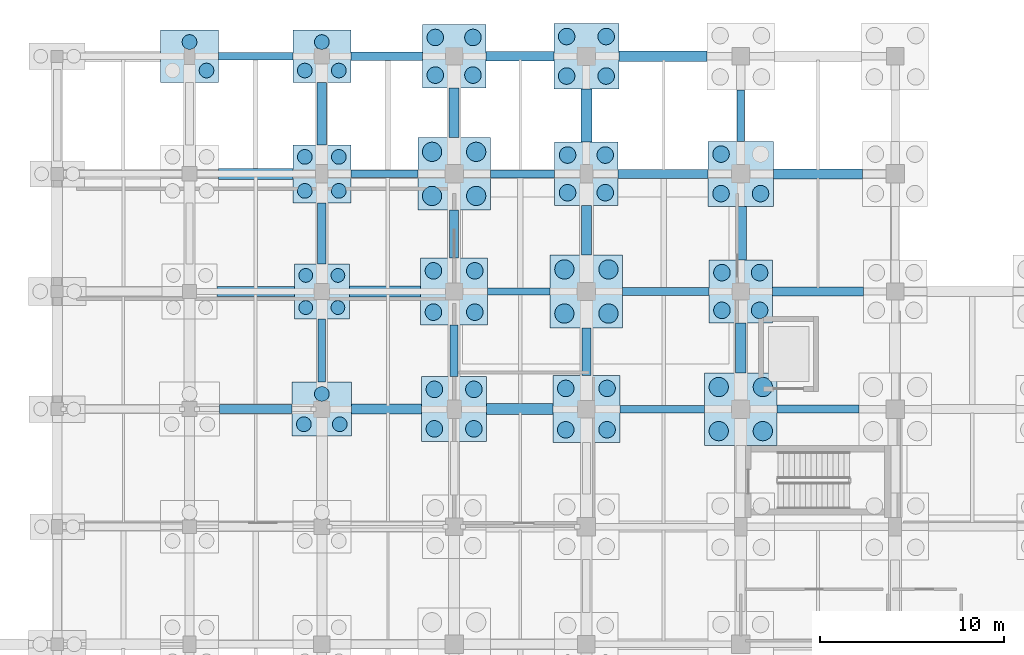
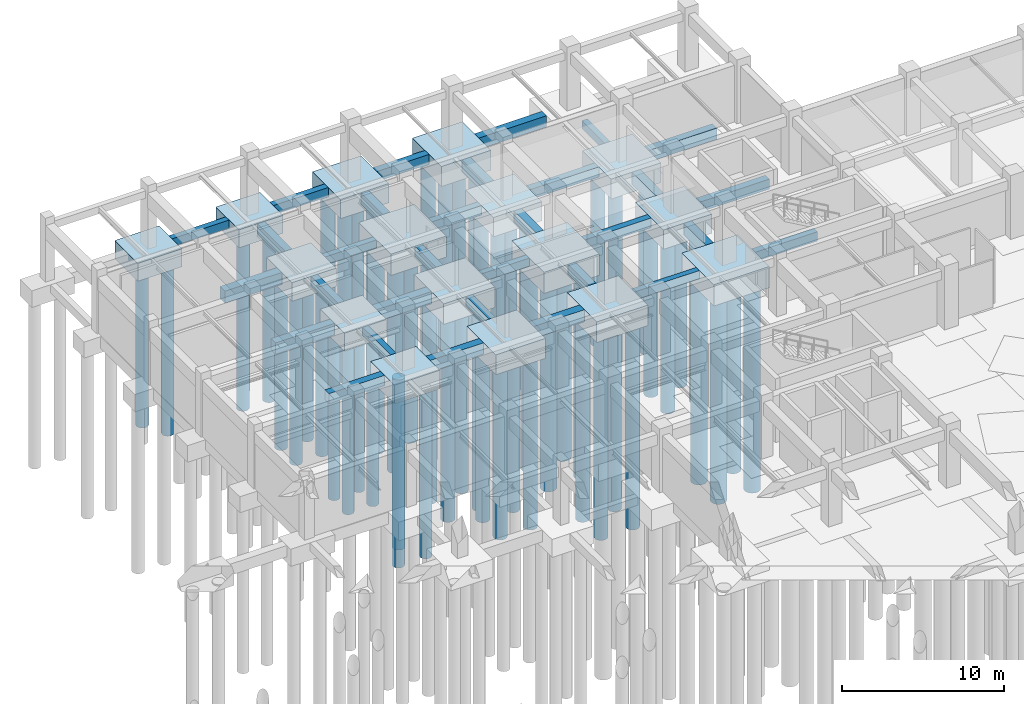
# One storey, part 8 of 44: 59 piles, 47 footings.
"""IFC4 building model written with IfcOpenShell, lengths in metres."""

from ifc_helpers import new_model, si_unit, direction, frame, origin, origin_2d, place, context, subcontext, project, spatial, rectangle, circle, extrude, material, material_profile, profile_set, type_object, element, save


model = new_model("IFC4")

# Units and contexts
model_context = context("Model", 3, precision=1e-05, world=origin(), true_north=direction((0.0, 1.0)))
body_context = subcontext(model_context, "Body", "Model", "MODEL_VIEW")
ifc_project = project(units=[si_unit("LENGTHUNIT", "METRE"), si_unit("AREAUNIT", "SQUARE_METRE"), si_unit("VOLUMEUNIT", "CUBIC_METRE"), si_unit("PLANEANGLEUNIT", "RADIAN"), si_unit("MASSUNIT", "GRAM", prefix="KILO")], contexts=[model_context])

# Site, building, storey
site_placement = place(None, origin())
site = spatial("IfcSite", under=ifc_project, at=site_placement, CompositionType="ELEMENT")
building_placement = place(site_placement, origin())
building = spatial("IfcBuilding", under=site, at=building_placement, Name="Korsvaeld Concert Hall", CompositionType="ELEMENT")
storey_placement = place(building_placement, frame((0.0, 0.0, -4.800048828125)))
storey = spatial("IfcBuildingStorey", under=building, at=storey_placement, Name="B1", CompositionType="ELEMENT", Elevation=-4.800048828125)

# Footings
ifc_material_1 = material(Name="Concrete C35/45", Category="concrete")
ifc_material_profile_1 = material_profile(ifc_material_1, rectangle(XDim=0.39990234375, YDim=0.60009765625, at=origin_2d()), Name="GTB 400x600")
ifc_profile_set_1 = profile_set([ifc_material_profile_1], Name="Concrete C35/45")
footing_type_1 = type_object("IfcFootingType", Name="GTB-400x600", PredefinedType="FOOTING_BEAM", material=ifc_profile_set_1)
footing_1_placement = place(storey_placement, frame((52.22509765625, 96.0, -0.300048828125), z_axis=(1.0, 0.0, 0.0), x_axis=(0.0, 1.0, 0.0)))
element("IfcFooting", 1, at=footing_1_placement, inside=storey, type_object=footing_type_1, Name="Ground tie beam 8-9/P", PredefinedType="FOOTING_BEAM", context=body_context, shape_type="SweptSolid", body=[
    extrude(rectangle(XDim=0.39990234375, YDim=0.60009765625, at=origin_2d()), origin(), (0.0, 0.0, 1.0), 4.599853515625),
])
footing_2_placement = place(storey_placement, frame((45.02490234375, 102.39990234375, -0.300048828125), z_axis=(1.0, 0.0, 0.0), x_axis=(0.0, 1.0, 0.0)))
element("IfcFooting", 2, at=footing_2_placement, inside=storey, type_object=footing_type_1, Name="Ground tie beam 7-8/Q", PredefinedType="FOOTING_BEAM", context=body_context, shape_type="SweptSolid", body=[
    extrude(rectangle(XDim=0.39990234375, YDim=0.60009765625, at=origin_2d()), origin(), (0.0, 0.0, 1.0), 3.400146484375),
])
footing_3_placement = place(storey_placement, frame((37.574951171875, 108.800048828125, -0.300048828125), z_axis=(1.0, 0.0, 0.0), x_axis=(0.0, 1.0, 0.0)))
element("IfcFooting", 3, at=footing_3_placement, inside=storey, type_object=footing_type_1, Name="Ground tie beam 6-7/R", PredefinedType="FOOTING_BEAM", context=body_context, shape_type="SweptSolid", body=[
    extrude(rectangle(XDim=0.39990234375, YDim=0.60009765625, at=origin_2d()), origin(), (0.0, 0.0, 1.0), 3.650146484375),
])
footing_4_placement = place(storey_placement, frame((30.375, 115.199951171875, -0.300048828125), z_axis=(1.0, 0.0, 0.0), x_axis=(0.0, 1.0, 0.0)))
element("IfcFooting", 4, at=footing_4_placement, inside=storey, type_object=footing_type_1, Name="Ground tie beam 5-6/S", PredefinedType="FOOTING_BEAM", context=body_context, shape_type="SweptSolid", body=[
    extrude(rectangle(XDim=0.39990234375, YDim=0.60009765625, at=origin_2d()), origin(), (0.0, 0.0, 1.0), 4.050048828125),
])
footing_5_placement = place(storey_placement, frame((36.0, 97.47509765625, -0.300048828125), z_axis=(0.0, 1.0, 0.0), x_axis=(-1.0, 0.0, 0.0)))
element("IfcFooting", 5, at=footing_5_placement, inside=storey, type_object=footing_type_1, Name="Ground tie beam 6/P-Q", PredefinedType="FOOTING_BEAM", context=body_context, shape_type="SweptSolid", body=[
    extrude(rectangle(XDim=0.39990234375, YDim=0.60009765625, at=origin_2d()), origin(), (0.0, 0.0, 1.0), 3.4248046875),
])
footing_6_placement = place(storey_placement, frame((58.800048828125, 110.574951171875, -0.300048828125), z_axis=(0.0, 1.0, 0.0), x_axis=(-1.0, 0.0, 0.0)))
element("IfcFooting", 6, at=footing_6_placement, inside=storey, type_object=footing_type_1, Name="Ground tie beam 9/R-S", PredefinedType="FOOTING_BEAM", context=body_context, shape_type="SweptSolid", body=[
    extrude(rectangle(XDim=0.39990234375, YDim=0.60009765625, at=origin_2d()), origin(), (0.0, 0.0, 1.0), 2.800048828125),
])
ifc_material_profile_2 = material_profile(ifc_material_1, rectangle(XDim=0.449951171875, YDim=0.699951171875, at=origin_2d()), Name="GTB 450x700")
ifc_profile_set_2 = profile_set([ifc_material_profile_2], Name="Concrete C35/45")
footing_type_2 = type_object("IfcFootingType", Name="GTB-450x700", PredefinedType="FOOTING_BEAM", material=ifc_profile_set_2)
footing_7_placement = place(storey_placement, frame((60.77490234375, 96.0, -0.349853515625), z_axis=(1.0, 0.0, 0.0), x_axis=(0.0, 1.0, 0.0)))
element("IfcFooting", 7, at=footing_7_placement, inside=storey, type_object=footing_type_2, Name="Ground tie beam 9-10/P", PredefinedType="FOOTING_BEAM", context=body_context, shape_type="SweptSolid", body=[
    extrude(rectangle(XDim=0.449951171875, YDim=0.699951171875, at=origin_2d()), origin(), (0.0, 0.0, 1.0), 4.4501953125),
])
footing_8_placement = place(storey_placement, frame((52.375, 102.39990234375, -0.349853515625), z_axis=(1.0, 0.0, 0.0), x_axis=(0.0, 1.0, 0.0)))
element("IfcFooting", 8, at=footing_8_placement, inside=storey, type_object=footing_type_2, Name="Ground tie beam 8-9/Q", PredefinedType="FOOTING_BEAM", context=body_context, shape_type="SweptSolid", body=[
    extrude(rectangle(XDim=0.449951171875, YDim=0.699951171875, at=origin_2d()), origin(), (0.0, 0.0, 1.0), 4.699951171875),
])
footing_9_placement = place(storey_placement, frame((45.175048828125, 108.800048828125, -0.349853515625), z_axis=(1.0, 0.0, 0.0), x_axis=(0.0, 1.0, 0.0)))
element("IfcFooting", 9, at=footing_9_placement, inside=storey, type_object=footing_type_2, Name="Ground tie beam 7-8/R", PredefinedType="FOOTING_BEAM", context=body_context, shape_type="SweptSolid", body=[
    extrude(rectangle(XDim=0.449951171875, YDim=0.699951171875, at=origin_2d()), origin(), (0.0, 0.0, 1.0), 3.5),
])
footing_10_placement = place(storey_placement, frame((37.574951171875, 115.199951171875, -0.349853515625), z_axis=(1.0, 0.0, 0.0), x_axis=(0.0, 1.0, 0.0)))
element("IfcFooting", 10, at=footing_10_placement, inside=storey, type_object=footing_type_2, Name="Ground tie beam 6-7/S", PredefinedType="FOOTING_BEAM", context=body_context, shape_type="SweptSolid", body=[
    extrude(rectangle(XDim=0.449951171875, YDim=0.699951171875, at=origin_2d()), origin(), (0.0, 0.0, 1.0), 3.900146484375),
])
footing_11_placement = place(storey_placement, frame((36.0, 103.89990234375, -0.349853515625), z_axis=(0.0, 1.0, 0.0), x_axis=(-1.0, 0.0, 0.0)))
element("IfcFooting", 11, at=footing_11_placement, inside=storey, type_object=footing_type_2, Name="Ground tie beam 6/Q-R", PredefinedType="FOOTING_BEAM", context=body_context, shape_type="SweptSolid", body=[
    extrude(rectangle(XDim=0.449951171875, YDim=0.699951171875, at=origin_2d()), origin(), (0.0, 0.0, 1.0), 3.3251953125),
])
footing_12_placement = place(storey_placement, frame((43.199951171875, 97.77490234375, -0.349853515625), z_axis=(0.0, 1.0, 0.0), x_axis=(-1.0, 0.0, 0.0)))
element("IfcFooting", 12, at=footing_12_placement, inside=storey, type_object=footing_type_2, Name="Ground tie beam 7/P-Q", PredefinedType="FOOTING_BEAM", context=body_context, shape_type="SweptSolid", body=[
    extrude(rectangle(XDim=0.449951171875, YDim=0.699951171875, at=origin_2d()), origin(), (0.0, 0.0, 1.0), 2.800048828125),
])
ifc_material_profile_3 = material_profile(ifc_material_1, rectangle(XDim=0.5, YDim=0.75, at=origin_2d()), Name="GTB 500x750")
ifc_profile_set_3 = profile_set([ifc_material_profile_3], Name="Concrete C35/45")
footing_type_3 = type_object("IfcFootingType", Name="GTB-500x750", PredefinedType="FOOTING_BEAM", material=ifc_profile_set_3)
footing_13_placement = place(storey_placement, frame((30.425048828125, 96.0, -0.375), z_axis=(1.0, 0.0, 0.0), x_axis=(0.0, 1.0, 0.0)))
element("IfcFooting", 13, at=footing_13_placement, inside=storey, type_object=footing_type_3, Name="Ground tie beam 5-6/P", PredefinedType="FOOTING_BEAM", context=body_context, shape_type="SweptSolid", body=[
    extrude(rectangle(XDim=0.5, YDim=0.75, at=origin_2d()), origin(), (0.0, 0.0, 1.0), 3.949951171875),
])
footing_14_placement = place(storey_placement, frame((60.52490234375, 102.39990234375, -0.375), z_axis=(1.0, 0.0, 0.0), x_axis=(0.0, 1.0, 0.0)))
element("IfcFooting", 14, at=footing_14_placement, inside=storey, type_object=footing_type_3, Name="Ground tie beam 9-10/Q", PredefinedType="FOOTING_BEAM", context=body_context, shape_type="SweptSolid", body=[
    extrude(rectangle(XDim=0.5, YDim=0.75, at=origin_2d()), origin(), (0.0, 0.0, 1.0), 4.9501953125),
])
footing_15_placement = place(storey_placement, frame((52.125, 108.800048828125, -0.375), z_axis=(1.0, 0.0, 0.0), x_axis=(0.0, 1.0, 0.0)))
element("IfcFooting", 15, at=footing_15_placement, inside=storey, type_object=footing_type_3, Name="Ground tie beam 8-9/R", PredefinedType="FOOTING_BEAM", context=body_context, shape_type="SweptSolid", body=[
    extrude(rectangle(XDim=0.5, YDim=0.75, at=origin_2d()), origin(), (0.0, 0.0, 1.0), 4.89990234375),
])
footing_16_placement = place(storey_placement, frame((44.925048828125, 115.199951171875, -0.375), z_axis=(1.0, 0.0, 0.0), x_axis=(0.0, 1.0, 0.0)))
element("IfcFooting", 16, at=footing_16_placement, inside=storey, type_object=footing_type_3, Name="Ground tie beam 7-8/S", PredefinedType="FOOTING_BEAM", context=body_context, shape_type="SweptSolid", body=[
    extrude(rectangle(XDim=0.5, YDim=0.75, at=origin_2d()), origin(), (0.0, 0.0, 1.0), 3.699951171875),
])
footing_17_placement = place(storey_placement, frame((36.0, 110.375, -0.375), z_axis=(0.0, 1.0, 0.0), x_axis=(-1.0, 0.0, 0.0)))
element("IfcFooting", 17, at=footing_17_placement, inside=storey, type_object=footing_type_3, Name="Ground tie beam 6/R-S", PredefinedType="FOOTING_BEAM", context=body_context, shape_type="SweptSolid", body=[
    extrude(rectangle(XDim=0.5, YDim=0.75, at=origin_2d()), origin(), (0.0, 0.0, 1.0), 3.39990234375),
])
footing_18_placement = place(storey_placement, frame((43.199951171875, 104.22509765625, -0.375), z_axis=(0.0, 1.0, 0.0), x_axis=(-1.0, 0.0, 0.0)))
element("IfcFooting", 18, at=footing_18_placement, inside=storey, type_object=footing_type_3, Name="Ground tie beam 7/Q-R", PredefinedType="FOOTING_BEAM", context=body_context, shape_type="SweptSolid", body=[
    extrude(rectangle(XDim=0.5, YDim=0.75, at=origin_2d()), origin(), (0.0, 0.0, 1.0), 2.599853515625),
])
footing_19_placement = place(storey_placement, frame((50.39990234375, 97.824951171875, -0.375), z_axis=(0.0, 1.0, 0.0), x_axis=(-1.0, 0.0, 0.0)))
element("IfcFooting", 19, at=footing_19_placement, inside=storey, type_object=footing_type_3, Name="Ground tie beam 8/P-Q", PredefinedType="FOOTING_BEAM", context=body_context, shape_type="SweptSolid", body=[
    extrude(rectangle(XDim=0.5, YDim=0.75, at=origin_2d()), origin(), (0.0, 0.0, 1.0), 2.60009765625),
])
ifc_material_profile_4 = material_profile(ifc_material_1, rectangle(XDim=0.550048828125, YDim=0.85009765625, at=origin_2d()), Name="GTB 550x850")
ifc_profile_set_4 = profile_set([ifc_material_profile_4], Name="Concrete C35/45")
footing_type_4 = type_object("IfcFootingType", Name="GTB-550x850", PredefinedType="FOOTING_BEAM", material=ifc_profile_set_4)
footing_20_placement = place(storey_placement, frame((37.625, 96.0, -0.425048828125), z_axis=(1.0, 0.0, 0.0), x_axis=(0.0, 1.0, 0.0)))
element("IfcFooting", 20, at=footing_20_placement, inside=storey, type_object=footing_type_4, Name="Ground tie beam 6-7/P", PredefinedType="FOOTING_BEAM", context=body_context, shape_type="SweptSolid", body=[
    extrude(rectangle(XDim=0.550048828125, YDim=0.85009765625, at=origin_2d()), origin(), (0.0, 0.0, 1.0), 3.800048828125),
])
footing_21_placement = place(storey_placement, frame((30.300048828125, 102.39990234375, -0.425048828125), z_axis=(1.0, 0.0, 0.0), x_axis=(0.0, 1.0, 0.0)))
element("IfcFooting", 21, at=footing_21_placement, inside=storey, type_object=footing_type_4, Name="Ground tie beam 5-6/Q", PredefinedType="FOOTING_BEAM", context=body_context, shape_type="SweptSolid", body=[
    extrude(rectangle(XDim=0.550048828125, YDim=0.85009765625, at=origin_2d()), origin(), (0.0, 0.0, 1.0), 4.199951171875),
])
footing_22_placement = place(storey_placement, frame((60.574951171875, 108.800048828125, -0.425048828125), z_axis=(1.0, 0.0, 0.0), x_axis=(0.0, 1.0, 0.0)))
element("IfcFooting", 22, at=footing_22_placement, inside=storey, type_object=footing_type_4, Name="Ground tie beam 9-10/R", PredefinedType="FOOTING_BEAM", context=body_context, shape_type="SweptSolid", body=[
    extrude(rectangle(XDim=0.550048828125, YDim=0.85009765625, at=origin_2d()), origin(), (0.0, 0.0, 1.0), 4.85009765625),
])
footing_23_placement = place(storey_placement, frame((52.175048828125, 115.199951171875, -0.425048828125), z_axis=(1.0, 0.0, 0.0), x_axis=(0.0, 1.0, 0.0)))
element("IfcFooting", 23, at=footing_23_placement, inside=storey, type_object=footing_type_4, Name="Ground tie beam 8-9/S", PredefinedType="FOOTING_BEAM", context=body_context, shape_type="SweptSolid", body=[
    extrude(rectangle(XDim=0.550048828125, YDim=0.85009765625, at=origin_2d()), origin(), (0.0, 0.0, 1.0), 4.800048828125),
])
footing_24_placement = place(storey_placement, frame((43.199951171875, 110.77490234375, -0.425048828125), z_axis=(0.0, 1.0, 0.0), x_axis=(-1.0, 0.0, 0.0)))
element("IfcFooting", 24, at=footing_24_placement, inside=storey, type_object=footing_type_4, Name="Ground tie beam 7/R-S", PredefinedType="FOOTING_BEAM", context=body_context, shape_type="SweptSolid", body=[
    extrude(rectangle(XDim=0.550048828125, YDim=0.85009765625, at=origin_2d()), origin(), (0.0, 0.0, 1.0), 2.7001953125),
])
for number, where, z_axis, x_axis, name in (
    (25, (50.39990234375, 104.375, -0.425048828125), (0.0, 1.0, 0.0), (-1.0, 0.0, 0.0), "Ground tie beam 8/Q-R"),
    (26, (58.800048828125, 97.97509765625, -0.425048828125), (0.0, 1.0, 0.0), (-1.0, 0.0, 0.0), "Ground tie beam 9/P-Q"),
):
    element("IfcFooting", number, at=place(storey_placement, frame(where, z_axis=z_axis, x_axis=x_axis)), inside=storey, type_object=footing_type_4, Name=name, PredefinedType="FOOTING_BEAM", context=body_context, shape_type="SweptSolid", body=[
        extrude(rectangle(XDim=0.550048828125, YDim=0.85009765625, at=origin_2d()), origin(), (0.0, 0.0, 1.0), 2.699951171875),
    ])
ifc_material_profile_5 = material_profile(ifc_material_1, rectangle(XDim=0.60009765625, YDim=0.89990234375, at=origin_2d()), Name="GTB 600x900")
ifc_profile_set_5 = profile_set([ifc_material_profile_5], Name="Concrete C35/45")
footing_type_5 = type_object("IfcFootingType", Name="GTB-600x900", PredefinedType="FOOTING_BEAM", material=ifc_profile_set_5)
footing_25_placement = place(storey_placement, frame((44.97509765625, 96.0, -0.449951171875), z_axis=(1.0, 0.0, 0.0), x_axis=(0.0, 1.0, 0.0)))
element("IfcFooting", 27, at=footing_25_placement, inside=storey, type_object=footing_type_5, Name="Ground tie beam 7-8/P", PredefinedType="FOOTING_BEAM", context=body_context, shape_type="SweptSolid", body=[
    extrude(rectangle(XDim=0.60009765625, YDim=0.89990234375, at=origin_2d()), origin(), (0.0, 0.0, 1.0), 3.599853515625),
])
footing_26_placement = place(storey_placement, frame((37.5, 102.39990234375, -0.449951171875), z_axis=(1.0, 0.0, 0.0), x_axis=(0.0, 1.0, 0.0)))
element("IfcFooting", 28, at=footing_26_placement, inside=storey, type_object=footing_type_5, Name="Ground tie beam 6-7/Q", PredefinedType="FOOTING_BEAM", context=body_context, shape_type="SweptSolid", body=[
    extrude(rectangle(XDim=0.60009765625, YDim=0.89990234375, at=origin_2d()), origin(), (0.0, 0.0, 1.0), 3.875),
])
footing_27_placement = place(storey_placement, frame((30.375, 108.800048828125, -0.449951171875), z_axis=(1.0, 0.0, 0.0), x_axis=(0.0, 1.0, 0.0)))
element("IfcFooting", 29, at=footing_27_placement, inside=storey, type_object=footing_type_5, Name="Ground tie beam 5-6/R", PredefinedType="FOOTING_BEAM", context=body_context, shape_type="SweptSolid", body=[
    extrude(rectangle(XDim=0.60009765625, YDim=0.89990234375, at=origin_2d()), origin(), (0.0, 0.0, 1.0), 4.050048828125),
])
footing_28_placement = place(storey_placement, frame((50.39990234375, 110.52490234375, -0.449951171875), z_axis=(0.0, 1.0, 0.0), x_axis=(-1.0, 0.0, 0.0)))
element("IfcFooting", 30, at=footing_28_placement, inside=storey, type_object=footing_type_5, Name="Ground tie beam 8/R-S", PredefinedType="FOOTING_BEAM", context=body_context, shape_type="SweptSolid", body=[
    extrude(rectangle(XDim=0.60009765625, YDim=0.89990234375, at=origin_2d()), origin(), (0.0, 0.0, 1.0), 2.900146484375),
])
footing_29_placement = place(storey_placement, frame((58.800048828125, 104.125, -0.449951171875), z_axis=(0.0, 1.0, 0.0), x_axis=(-1.0, 0.0, 0.0)))
element("IfcFooting", 31, at=footing_29_placement, inside=storey, type_object=footing_type_5, Name="Ground tie beam 9/Q-R", PredefinedType="FOOTING_BEAM", context=body_context, shape_type="SweptSolid", body=[
    extrude(rectangle(XDim=0.60009765625, YDim=0.89990234375, at=origin_2d()), origin(), (0.0, 0.0, 1.0), 2.89990234375),
])
footing_type_6 = type_object("IfcFootingType", Name="PC-3P-290x260x135", PredefinedType="PILE_CAP", material=ifc_material_1)
for number, where, z_axis, x_axis, name in (
    (32, (28.800048828125, 115.199951171875, -1.35009765625), (0.0, 0.0, 1.0), (1.0, 0.0, 0.0), "Pile cap 5/S"),
    (33, (36.0, 115.199951171875, -1.35009765625), (0.0, 0.0, 1.0), (1.0, 0.0, 0.0), "Pile cap 6/S"),
):
    element("IfcFooting", number, at=place(storey_placement, frame(where, z_axis=z_axis, x_axis=x_axis)), inside=storey, type_object=footing_type_6, Name=name, PredefinedType="PILE_CAP", context=body_context, shape_type="SweptSolid", body=[
        extrude(rectangle(XDim=3.14990234375, YDim=2.85009765625, at=origin_2d()), origin(), (0.0, 0.0, 1.0), 1.35009765625),
    ])
footing_type_7 = type_object("IfcFootingType", Name="PC-3P-310x280x140", PredefinedType="PILE_CAP", material=ifc_material_1)
footing_30_placement = place(storey_placement, frame((36.0, 96.0, -1.39990234375), z_axis=(0.0, 0.0, 1.0), x_axis=(1.0, 0.0, 0.0)))
element("IfcFooting", 34, at=footing_30_placement, inside=storey, type_object=footing_type_7, Name="Pile cap 6/P", PredefinedType="PILE_CAP", context=body_context, shape_type="SweptSolid", body=[
    extrude(rectangle(XDim=3.25, YDim=2.949951171875, at=origin_2d()), origin(), (0.0, 0.0, 1.0), 1.39990234375),
])
footing_type_8 = type_object("IfcFootingType", Name="PC-4P-280x280x135", PredefinedType="PILE_CAP", material=ifc_material_1)
footing_31_placement = place(storey_placement, frame((36.0, 102.39990234375, -1.35009765625), z_axis=(0.0, 0.0, 1.0), x_axis=(1.0, 0.0, 0.0)))
element("IfcFooting", 35, at=footing_31_placement, inside=storey, type_object=footing_type_8, Name="Pile cap 6/Q", PredefinedType="PILE_CAP", context=body_context, shape_type="SweptSolid", body=[
    extrude(rectangle(XDim=3.0, YDim=3.0, at=origin_2d()), origin(), (0.0, 0.0, 1.0), 1.35009765625),
])
footing_type_9 = type_object("IfcFootingType", Name="PC-4P-300x300x140", PredefinedType="PILE_CAP", material=ifc_material_1)
footing_32_placement = place(storey_placement, frame((36.0, 108.800048828125, -1.39990234375), z_axis=(0.0, 0.0, 1.0), x_axis=(1.0, 0.0, 0.0)))
element("IfcFooting", 36, at=footing_32_placement, inside=storey, type_object=footing_type_9, Name="Pile cap 6/R", PredefinedType="PILE_CAP", context=body_context, shape_type="SweptSolid", body=[
    extrude(rectangle(XDim=3.14990234375, YDim=3.14990234375, at=origin_2d()), origin(), (0.0, 0.0, 1.0), 1.39990234375),
])
footing_type_10 = type_object("IfcFootingType", Name="PC-4P-320x320x145", PredefinedType="PILE_CAP", material=ifc_material_1)
for number, where, z_axis, x_axis, name in (
    (37, (43.199951171875, 115.199951171875, -1.44970703125), (0.0, 0.0, 1.0), (1.0, 0.0, 0.0), "Pile cap 7/S"),
    (38, (50.39990234375, 108.800048828125, -1.44970703125), (0.0, 0.0, 1.0), (1.0, 0.0, 0.0), "Pile cap 8/R"),
    (39, (58.800048828125, 102.39990234375, -1.44970703125), (0.0, 0.0, 1.0), (1.0, 0.0, 0.0), "Pile cap 9/Q"),
):
    element("IfcFooting", number, at=place(storey_placement, frame(where, z_axis=z_axis, x_axis=x_axis)), inside=storey, type_object=footing_type_10, Name=name, PredefinedType="PILE_CAP", context=body_context, shape_type="SweptSolid", body=[
        extrude(rectangle(XDim=3.449951171875, YDim=3.449951171875, at=origin_2d()), origin(), (0.0, 0.0, 1.0), 1.449951171875),
    ])
footing_type_11 = type_object("IfcFootingType", Name="PC-4P-340x340x150", PredefinedType="PILE_CAP", material=ifc_material_1)
for number, where, z_axis, x_axis, name in (
    (40, (43.199951171875, 96.0, -1.5), (0.0, 0.0, 1.0), (1.0, 0.0, 0.0), "Pile cap 7/P"),
    (41, (50.39990234375, 115.199951171875, -1.5), (0.0, 0.0, 1.0), (1.0, 0.0, 0.0), "Pile cap 8/S"),
    (42, (58.800048828125, 108.800048828125, -1.5), (0.0, 0.0, 1.0), (1.0, 0.0, 0.0), "Pile cap 9/R"),
):
    element("IfcFooting", number, at=place(storey_placement, frame(where, z_axis=z_axis, x_axis=x_axis)), inside=storey, type_object=footing_type_11, Name=name, PredefinedType="PILE_CAP", context=body_context, shape_type="SweptSolid", body=[
        extrude(rectangle(XDim=3.550048828125, YDim=3.550048828125, at=origin_2d()), origin(), (0.0, 0.0, 1.0), 1.5),
    ])
footing_type_12 = type_object("IfcFootingType", Name="PC-4P-360x360x155", PredefinedType="PILE_CAP", material=ifc_material_1)
for number, where, z_axis, x_axis, name in (
    (43, (43.199951171875, 102.39990234375, -1.5498046875), (0.0, 0.0, 1.0), (1.0, 0.0, 0.0), "Pile cap 7/Q"),
    (44, (50.39990234375, 96.0, -1.5498046875), (0.0, 0.0, 1.0), (1.0, 0.0, 0.0), "Pile cap 8/P"),
):
    element("IfcFooting", number, at=place(storey_placement, frame(where, z_axis=z_axis, x_axis=x_axis)), inside=storey, type_object=footing_type_12, Name=name, PredefinedType="PILE_CAP", context=body_context, shape_type="SweptSolid", body=[
        extrude(rectangle(XDim=3.64990234375, YDim=3.64990234375, at=origin_2d()), origin(), (0.0, 0.0, 1.0), 1.550048828125),
    ])
footing_type_13 = type_object("IfcFootingType", Name="PC-4P-380x380x160", PredefinedType="PILE_CAP", material=ifc_material_1)
for number, where, z_axis, x_axis, name in (
    (45, (43.199951171875, 108.800048828125, -1.60009765625), (0.0, 0.0, 1.0), (1.0, 0.0, 0.0), "Pile cap 7/R"),
    (46, (50.39990234375, 102.39990234375, -1.60009765625), (0.0, 0.0, 1.0), (1.0, 0.0, 0.0), "Pile cap 8/Q"),
    (47, (58.800048828125, 96.0, -1.60009765625), (0.0, 0.0, 1.0), (1.0, 0.0, 0.0), "Pile cap 9/P"),
):
    element("IfcFooting", number, at=place(storey_placement, frame(where, z_axis=z_axis, x_axis=x_axis)), inside=storey, type_object=footing_type_13, Name=name, PredefinedType="PILE_CAP", context=body_context, shape_type="SweptSolid", body=[
        extrude(rectangle(XDim=3.949951171875, YDim=3.949951171875, at=origin_2d()), origin(), (0.0, 0.0, 1.0), 1.60009765625),
    ])

# Piles
ifc_material_2 = material(Name="Concrete C40/50", Category="concrete")
ifc_material_profile_6 = material_profile(ifc_material_2, circle(Radius=0.52490234375, at=origin_2d()), Name="BORED PILE D1050")
ifc_profile_set_6 = profile_set([ifc_material_profile_6], Name="Concrete C40/50")
pile_type_1 = type_object("IfcPileType", Name="PILE-D1050", PredefinedType="BORED", material=ifc_profile_set_6)
for number, where, z_axis, x_axis, name in (
    (48, (42.0, 107.60009765625, -1.5), (0.0, 0.0, -1.0), (1.0, 0.0, 0.0), "Bored pile 7/R-1"),
    (49, (44.39990234375, 107.60009765625, -1.5), (0.0, 0.0, -1.0), (1.0, 0.0, 0.0), "Bored pile 7/R-2"),
    (50, (42.0, 110.0, -1.5), (0.0, 0.0, -1.0), (1.0, 0.0, 0.0), "Bored pile 7/R-3"),
    (51, (44.39990234375, 110.0, -1.5), (0.0, 0.0, -1.0), (1.0, 0.0, 0.0), "Bored pile 7/R-4"),
    (52, (49.199951171875, 101.199951171875, -1.5), (0.0, 0.0, -1.0), (1.0, 0.0, 0.0), "Bored pile 8/Q-1"),
    (53, (51.60009765625, 101.199951171875, -1.5), (0.0, 0.0, -1.0), (1.0, 0.0, 0.0), "Bored pile 8/Q-2"),
    (54, (49.199951171875, 103.60009765625, -1.5), (0.0, 0.0, -1.0), (1.0, 0.0, 0.0), "Bored pile 8/Q-3"),
    (55, (51.60009765625, 103.60009765625, -1.5), (0.0, 0.0, -1.0), (1.0, 0.0, 0.0), "Bored pile 8/Q-4"),
    (56, (57.60009765625, 94.800048828125, -1.5), (0.0, 0.0, -1.0), (1.0, 0.0, 0.0), "Bored pile 9/P-1"),
    (57, (60.0, 94.800048828125, -1.5), (0.0, 0.0, -1.0), (1.0, 0.0, 0.0), "Bored pile 9/P-2"),
    (58, (57.60009765625, 97.199951171875, -1.5), (0.0, 0.0, -1.0), (1.0, 0.0, 0.0), "Bored pile 9/P-3"),
    (59, (60.0, 97.199951171875, -1.5), (0.0, 0.0, -1.0), (1.0, 0.0, 0.0), "Bored pile 9/P-4"),
):
    element("IfcPile", number, at=place(storey_placement, frame(where, z_axis=z_axis, x_axis=x_axis)), inside=storey, type_object=pile_type_1, Name=name, PredefinedType="BORED", context=body_context, shape_type="SweptSolid", body=[
        extrude(circle(Radius=0.52490234375, at=origin_2d()), origin(), (0.0, 0.0, 1.0), 15.39990234375),
    ])
ifc_material_profile_7 = material_profile(ifc_material_1, circle(Radius=0.375, at=origin_2d()), Name="BORED PILE D750")
ifc_profile_set_7 = profile_set([ifc_material_profile_7], Name="Concrete C35/45")
pile_type_2 = type_object("IfcPileType", Name="PILE-D750", PredefinedType="BORED", material=ifc_profile_set_7)
for number, where, z_axis, x_axis, name in (
    (60, (35.125, 101.52490234375, -1.25), (0.0, 0.0, -1.0), (1.0, 0.0, 0.0), "Bored pile 6/Q-1"),
    (61, (36.875, 101.52490234375, -1.25), (0.0, 0.0, -1.0), (1.0, 0.0, 0.0), "Bored pile 6/Q-2"),
    (62, (35.125, 103.27490234375, -1.25), (0.0, 0.0, -1.0), (1.0, 0.0, 0.0), "Bored pile 6/Q-3"),
    (63, (36.875, 103.27490234375, -1.25), (0.0, 0.0, -1.0), (1.0, 0.0, 0.0), "Bored pile 6/Q-4"),
):
    element("IfcPile", number, at=place(storey_placement, frame(where, z_axis=z_axis, x_axis=x_axis)), inside=storey, type_object=pile_type_2, Name=name, PredefinedType="BORED", context=body_context, shape_type="SweptSolid", body=[
        extrude(circle(Radius=0.375, at=origin_2d()), origin(), (0.0, 0.0, 1.0), 12.75),
    ])
ifc_material_profile_8 = material_profile(ifc_material_1, circle(Radius=0.39990234375, at=origin_2d()), Name="BORED PILE D800")
ifc_profile_set_8 = profile_set([ifc_material_profile_8], Name="Concrete C35/45")
pile_type_3 = type_object("IfcPileType", Name="PILE-D800", PredefinedType="BORED", material=ifc_profile_set_8)
for number, where, z_axis, x_axis, name in (
    (64, (29.72509765625, 114.425048828125, -1.25), (0.0, 0.0, -1.0), (1.0, 0.0, 0.0), "Bored pile 5/S-2"),
    (65, (28.800048828125, 115.97509765625, -1.25), (0.0, 0.0, -1.0), (1.0, 0.0, 0.0), "Bored pile 5/S-3"),
):
    element("IfcPile", number, at=place(storey_placement, frame(where, z_axis=z_axis, x_axis=x_axis)), inside=storey, type_object=pile_type_3, Name=name, PredefinedType="BORED", context=body_context, shape_type="SweptSolid", body=[
        extrude(circle(Radius=0.39990234375, at=origin_2d()), origin(), (0.0, 0.0, 1.0), 12.75),
    ])
for number, where, z_axis, x_axis, name in (
    (66, (35.02490234375, 95.175048828125, -1.300048828125), (0.0, 0.0, -1.0), (1.0, 0.0, 0.0), "Bored pile 6/P-1"),
    (67, (36.97509765625, 95.175048828125, -1.300048828125), (0.0, 0.0, -1.0), (1.0, 0.0, 0.0), "Bored pile 6/P-2"),
    (68, (36.0, 96.824951171875, -1.300048828125), (0.0, 0.0, -1.0), (1.0, 0.0, 0.0), "Bored pile 6/P-3"),
    (69, (35.074951171875, 107.875, -1.300048828125), (0.0, 0.0, -1.0), (1.0, 0.0, 0.0), "Bored pile 6/R-1"),
    (70, (36.925048828125, 107.875, -1.300048828125), (0.0, 0.0, -1.0), (1.0, 0.0, 0.0), "Bored pile 6/R-2"),
    (71, (35.074951171875, 109.72509765625, -1.300048828125), (0.0, 0.0, -1.0), (1.0, 0.0, 0.0), "Bored pile 6/R-3"),
    (72, (36.925048828125, 109.72509765625, -1.300048828125), (0.0, 0.0, -1.0), (1.0, 0.0, 0.0), "Bored pile 6/R-4"),
):
    element("IfcPile", number, at=place(storey_placement, frame(where, z_axis=z_axis, x_axis=x_axis)), inside=storey, type_object=pile_type_3, Name=name, PredefinedType="BORED", context=body_context, shape_type="SweptSolid", body=[
        extrude(circle(Radius=0.39990234375, at=origin_2d()), origin(), (0.0, 0.0, 1.0), 12.800048828125),
    ])
for number, where, z_axis, x_axis, name in (
    (73, (35.074951171875, 114.425048828125, -1.25), (0.0, 0.0, -1.0), (1.0, 0.0, 0.0), "Bored pile 6/S-1"),
    (74, (36.925048828125, 114.425048828125, -1.25), (0.0, 0.0, -1.0), (1.0, 0.0, 0.0), "Bored pile 6/S-2"),
    (75, (36.0, 115.97509765625, -1.25), (0.0, 0.0, -1.0), (1.0, 0.0, 0.0), "Bored pile 6/S-3"),
):
    element("IfcPile", number, at=place(storey_placement, frame(where, z_axis=z_axis, x_axis=x_axis)), inside=storey, type_object=pile_type_3, Name=name, PredefinedType="BORED", context=body_context, shape_type="SweptSolid", body=[
        extrude(circle(Radius=0.39990234375, at=origin_2d()), origin(), (0.0, 0.0, 1.0), 12.75),
    ])
ifc_material_profile_9 = material_profile(ifc_material_1, circle(Radius=0.449951171875, at=origin_2d()), Name="BORED PILE D900")
ifc_profile_set_9 = profile_set([ifc_material_profile_9], Name="Concrete C35/45")
pile_type_4 = type_object("IfcPileType", Name="PILE-D900", PredefinedType="BORED", material=ifc_profile_set_9)
for number, where, z_axis, x_axis, name in (
    (76, (42.125, 94.925048828125, -1.39990234375), (0.0, 0.0, -1.0), (1.0, 0.0, 0.0), "Bored pile 7/P-1"),
    (77, (44.27490234375, 94.925048828125, -1.39990234375), (0.0, 0.0, -1.0), (1.0, 0.0, 0.0), "Bored pile 7/P-2"),
    (78, (42.125, 97.074951171875, -1.39990234375), (0.0, 0.0, -1.0), (1.0, 0.0, 0.0), "Bored pile 7/P-3"),
    (79, (44.27490234375, 97.074951171875, -1.39990234375), (0.0, 0.0, -1.0), (1.0, 0.0, 0.0), "Bored pile 7/P-4"),
):
    element("IfcPile", number, at=place(storey_placement, frame(where, z_axis=z_axis, x_axis=x_axis)), inside=storey, type_object=pile_type_4, Name=name, PredefinedType="BORED", context=body_context, shape_type="SweptSolid", body=[
        extrude(circle(Radius=0.449951171875, at=origin_2d()), origin(), (0.0, 0.0, 1.0), 12.89990234375),
    ])
for number, where, z_axis, x_axis, name in (
    (80, (42.074951171875, 101.27490234375, -1.449951171875), (0.0, 0.0, -1.0), (1.0, 0.0, 0.0), "Bored pile 7/Q-1"),
    (81, (44.324951171875, 101.27490234375, -1.449951171875), (0.0, 0.0, -1.0), (1.0, 0.0, 0.0), "Bored pile 7/Q-2"),
    (82, (42.074951171875, 103.52490234375, -1.449951171875), (0.0, 0.0, -1.0), (1.0, 0.0, 0.0), "Bored pile 7/Q-3"),
    (83, (44.324951171875, 103.52490234375, -1.449951171875), (0.0, 0.0, -1.0), (1.0, 0.0, 0.0), "Bored pile 7/Q-4"),
):
    element("IfcPile", number, at=place(storey_placement, frame(where, z_axis=z_axis, x_axis=x_axis)), inside=storey, type_object=pile_type_4, Name=name, PredefinedType="BORED", context=body_context, shape_type="SweptSolid", body=[
        extrude(circle(Radius=0.449951171875, at=origin_2d()), origin(), (0.0, 0.0, 1.0), 15.35009765625),
    ])
for number, where, z_axis, x_axis, name in (
    (84, (42.175048828125, 114.175048828125, -1.349853515625), (0.0, 0.0, -1.0), (1.0, 0.0, 0.0), "Bored pile 7/S-1"),
    (85, (44.22509765625, 114.175048828125, -1.349853515625), (0.0, 0.0, -1.0), (1.0, 0.0, 0.0), "Bored pile 7/S-2"),
    (86, (42.175048828125, 116.22509765625, -1.349853515625), (0.0, 0.0, -1.0), (1.0, 0.0, 0.0), "Bored pile 7/S-3"),
    (87, (44.22509765625, 116.22509765625, -1.349853515625), (0.0, 0.0, -1.0), (1.0, 0.0, 0.0), "Bored pile 7/S-4"),
):
    element("IfcPile", number, at=place(storey_placement, frame(where, z_axis=z_axis, x_axis=x_axis)), inside=storey, type_object=pile_type_4, Name=name, PredefinedType="BORED", context=body_context, shape_type="SweptSolid", body=[
        extrude(circle(Radius=0.449951171875, at=origin_2d()), origin(), (0.0, 0.0, 1.0), 12.85009765625),
    ])
for number, where, z_axis, x_axis, name in (
    (88, (49.27490234375, 94.875, -1.449951171875), (0.0, 0.0, -1.0), (1.0, 0.0, 0.0), "Bored pile 8/P-1"),
    (89, (51.52490234375, 94.875, -1.449951171875), (0.0, 0.0, -1.0), (1.0, 0.0, 0.0), "Bored pile 8/P-2"),
    (90, (49.27490234375, 97.125, -1.449951171875), (0.0, 0.0, -1.0), (1.0, 0.0, 0.0), "Bored pile 8/P-3"),
    (91, (51.52490234375, 97.125, -1.449951171875), (0.0, 0.0, -1.0), (1.0, 0.0, 0.0), "Bored pile 8/P-4"),
):
    element("IfcPile", number, at=place(storey_placement, frame(where, z_axis=z_axis, x_axis=x_axis)), inside=storey, type_object=pile_type_4, Name=name, PredefinedType="BORED", context=body_context, shape_type="SweptSolid", body=[
        extrude(circle(Radius=0.449951171875, at=origin_2d()), origin(), (0.0, 0.0, 1.0), 15.35009765625),
    ])
for number, where, z_axis, x_axis, name in (
    (92, (49.375, 107.77490234375, -1.349853515625), (0.0, 0.0, -1.0), (1.0, 0.0, 0.0), "Bored pile 8/R-1"),
    (93, (51.425048828125, 107.77490234375, -1.349853515625), (0.0, 0.0, -1.0), (1.0, 0.0, 0.0), "Bored pile 8/R-2"),
    (94, (49.375, 109.824951171875, -1.349853515625), (0.0, 0.0, -1.0), (1.0, 0.0, 0.0), "Bored pile 8/R-3"),
    (95, (51.425048828125, 109.824951171875, -1.349853515625), (0.0, 0.0, -1.0), (1.0, 0.0, 0.0), "Bored pile 8/R-4"),
):
    element("IfcPile", number, at=place(storey_placement, frame(where, z_axis=z_axis, x_axis=x_axis)), inside=storey, type_object=pile_type_4, Name=name, PredefinedType="BORED", context=body_context, shape_type="SweptSolid", body=[
        extrude(circle(Radius=0.449951171875, at=origin_2d()), origin(), (0.0, 0.0, 1.0), 12.85009765625),
    ])
for number, where, z_axis, x_axis, name in (
    (96, (49.324951171875, 114.125, -1.39990234375), (0.0, 0.0, -1.0), (1.0, 0.0, 0.0), "Bored pile 8/S-1"),
    (97, (51.47509765625, 114.125, -1.39990234375), (0.0, 0.0, -1.0), (1.0, 0.0, 0.0), "Bored pile 8/S-2"),
    (98, (49.324951171875, 116.27490234375, -1.39990234375), (0.0, 0.0, -1.0), (1.0, 0.0, 0.0), "Bored pile 8/S-3"),
    (99, (51.47509765625, 116.27490234375, -1.39990234375), (0.0, 0.0, -1.0), (1.0, 0.0, 0.0), "Bored pile 8/S-4"),
):
    element("IfcPile", number, at=place(storey_placement, frame(where, z_axis=z_axis, x_axis=x_axis)), inside=storey, type_object=pile_type_4, Name=name, PredefinedType="BORED", context=body_context, shape_type="SweptSolid", body=[
        extrude(circle(Radius=0.449951171875, at=origin_2d()), origin(), (0.0, 0.0, 1.0), 12.89990234375),
    ])
for number, where, z_axis, x_axis, name in (
    (100, (57.77490234375, 101.375, -1.349853515625), (0.0, 0.0, -1.0), (1.0, 0.0, 0.0), "Bored pile 9/Q-1"),
    (101, (59.824951171875, 101.375, -1.349853515625), (0.0, 0.0, -1.0), (1.0, 0.0, 0.0), "Bored pile 9/Q-2"),
    (102, (57.77490234375, 103.425048828125, -1.349853515625), (0.0, 0.0, -1.0), (1.0, 0.0, 0.0), "Bored pile 9/Q-3"),
    (103, (59.824951171875, 103.425048828125, -1.349853515625), (0.0, 0.0, -1.0), (1.0, 0.0, 0.0), "Bored pile 9/Q-4"),
):
    element("IfcPile", number, at=place(storey_placement, frame(where, z_axis=z_axis, x_axis=x_axis)), inside=storey, type_object=pile_type_4, Name=name, PredefinedType="BORED", context=body_context, shape_type="SweptSolid", body=[
        extrude(circle(Radius=0.449951171875, at=origin_2d()), origin(), (0.0, 0.0, 1.0), 12.85009765625),
    ])
for number, where, z_axis, x_axis, name in (
    (104, (57.72509765625, 107.72509765625, -1.39990234375), (0.0, 0.0, -1.0), (1.0, 0.0, 0.0), "Bored pile 9/R-1"),
    (105, (59.875, 107.72509765625, -1.39990234375), (0.0, 0.0, -1.0), (1.0, 0.0, 0.0), "Bored pile 9/R-2"),
    (106, (57.72509765625, 109.875, -1.39990234375), (0.0, 0.0, -1.0), (1.0, 0.0, 0.0), "Bored pile 9/R-3"),
):
    element("IfcPile", number, at=place(storey_placement, frame(where, z_axis=z_axis, x_axis=x_axis)), inside=storey, type_object=pile_type_4, Name=name, PredefinedType="BORED", context=body_context, shape_type="SweptSolid", body=[
        extrude(circle(Radius=0.449951171875, at=origin_2d()), origin(), (0.0, 0.0, 1.0), 12.89990234375),
    ])

save(model, "model.ifc")
